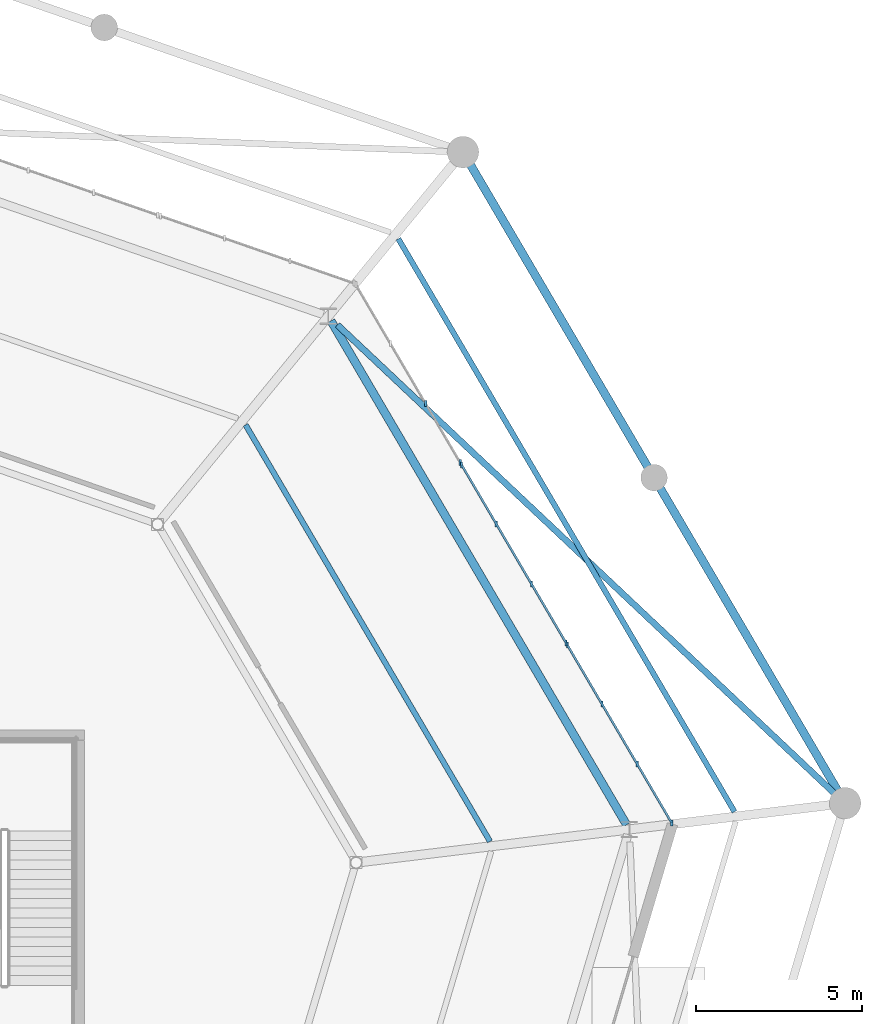
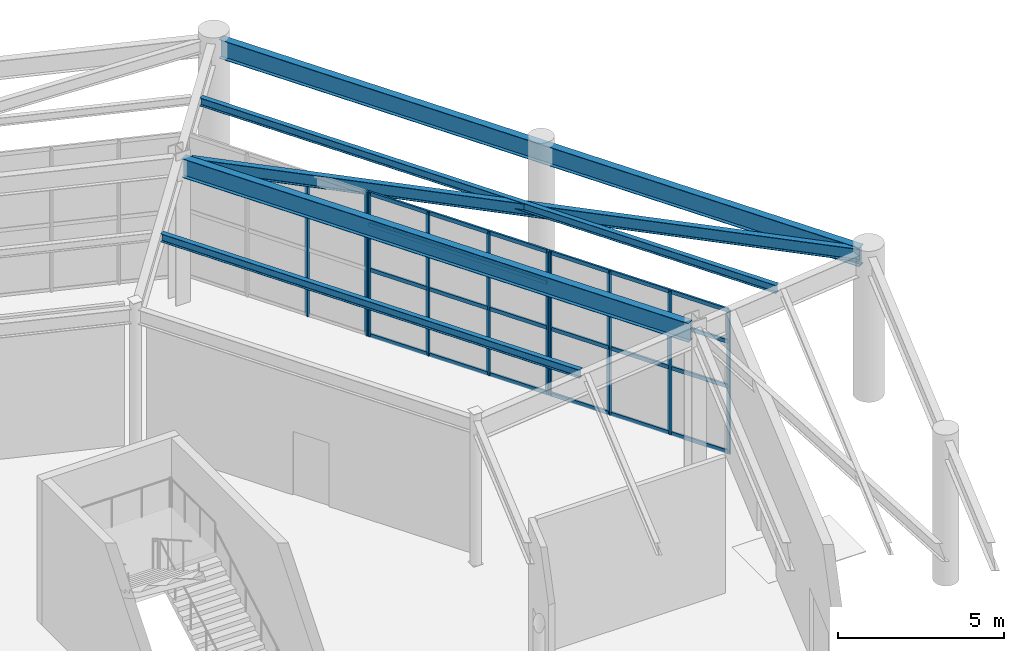
# One storey, part 34 of 70: 18 members, 5 beams, 3 elements without a shape of their own.
"""IFC4 building model written with IfcOpenShell, lengths in metres."""

import ifcopenshell
import ifcopenshell.guid

model = None  # the IFC model being written
_history = None  # IfcOwnerHistory: only IFC2X3 demands one
_inside = {}  # id of a spatial element -> (the spatial element, [elements in it])
_under = {}  # id of a project, library or spatial element -> (it, [spatial elements below it])
_declared = {}  # id of a project -> (the project, [libraries it declares])
_typed = {}  # id of a type object -> (the type object, [elements of that type])
_made_of = {}  # id of a material, layer set ... -> (it, [elements and type objects made of it])


def new_model(schema):
    """Start an empty IFC model of exactly this schema.

    Asked for "IFC4X3", IfcOpenShell would pick the latest addendum, in which some entities
    have other attributes; the version numbers below select the first issue.
    IFC2X3 requires an IfcOwnerHistory on every rooted entity: one is made here for all.
    """
    global model, _history
    if schema == "IFC4X3":
        model = ifcopenshell.file(schema_version=(4, 3, 0, 0))
    else:
        model = ifcopenshell.file(schema=schema)
    _inside.clear()
    _under.clear()
    _declared.clear()
    _typed.clear()
    _made_of.clear()
    _history = None
    if model.schema == "IFC2X3":
        org = make("IfcOrganization", Name="unknown")
        user = make(
            "IfcPersonAndOrganization",
            ThePerson=make("IfcPerson", FamilyName="unknown"),
            TheOrganization=org,
        )
        app = make(
            "IfcApplication",
            ApplicationDeveloper=org,
            Version="unknown",
            ApplicationFullName="unknown",
            ApplicationIdentifier="unknown",
        )
        _history = make(
            "IfcOwnerHistory",
            OwningUser=user,
            OwningApplication=app,
            ChangeAction="ADDED",
            CreationDate=0,
        )
    return model


def make(cls, **values):
    """One entity of the class cls with the attributes given. An attribute that is None is left unset."""
    return model.create_entity(
        cls, **{name: value for name, value in values.items() if value is not None}
    )


def rooted(cls, **values):
    """An entity with a GlobalId (a new one), such as an element, a storey or a relation."""
    return make(cls, GlobalId=ifcopenshell.guid.new(), OwnerHistory=_history, **values)


def si_unit(unit_type, name, prefix=None):
    """IfcSIUnit, for example si_unit("LENGTHUNIT", "METRE", prefix="MILLI")."""
    return make("IfcSIUnit", UnitType=unit_type, Prefix=prefix, Name=name)


def assignment(units):
    """IfcUnitAssignment: the units of a project."""
    return None if units is None else make("IfcUnitAssignment", Units=units)


def point(xyz):
    """IfcCartesianPoint."""
    return None if xyz is None else make("IfcCartesianPoint", Coordinates=xyz)


def direction(xyz):
    """IfcDirection."""
    return None if xyz is None else make("IfcDirection", DirectionRatios=xyz)


def frame(location, z_axis=None, x_axis=None):
    """IfcAxis2Placement3D, a coordinate frame: its origin and axes. An axis left out is left unset."""
    return make(
        "IfcAxis2Placement3D",
        Location=point(location),
        Axis=direction(z_axis),
        RefDirection=direction(x_axis),
    )


def frame_2d(location, x_axis=None):
    """IfcAxis2Placement2D, a coordinate frame in the plane: its origin and x axis."""
    return make(
        "IfcAxis2Placement2D", Location=point(location), RefDirection=direction(x_axis)
    )


def origin():
    """The frame at (0, 0, 0) with its axes left unset."""
    return frame((0.0, 0.0, 0.0))


def origin_2d():
    """The frame at (0, 0) in the plane with its x axis left unset."""
    return frame_2d((0.0, 0.0))


def place(relative_to, where):
    """IfcLocalPlacement: puts the frame where relative to a parent placement (None: the world)."""
    return make(
        "IfcLocalPlacement", PlacementRelTo=relative_to, RelativePlacement=where
    )


def context(
    kind, dimensions, precision=None, world=None, true_north=None, identifier=None
):
    """IfcGeometricRepresentationContext, for example the 3D "Model" context."""
    return make(
        "IfcGeometricRepresentationContext",
        ContextIdentifier=identifier,
        ContextType=kind,
        CoordinateSpaceDimension=dimensions,
        Precision=precision,
        WorldCoordinateSystem=world,
        TrueNorth=true_north,
    )


def subcontext(parent, identifier, kind, view, scale=None):
    """IfcGeometricRepresentationSubContext, for example "Body" below "Model"."""
    return make(
        "IfcGeometricRepresentationSubContext",
        ContextIdentifier=identifier,
        ContextType=kind,
        ParentContext=parent,
        TargetScale=scale,
        TargetView=view,
    )


def project(units=None, contexts=None):
    """IfcProject with its units and contexts."""
    return rooted(
        "IfcProject",
        Name="project",
        RepresentationContexts=contexts,
        UnitsInContext=assignment(units),
    )


def spatial(cls, under=None, at=None, **own):
    """A site, building, storey or space (cls), placed at a placement, below another one or the project."""
    s = rooted(cls, ObjectPlacement=at, **own)
    if under is not None:
        _under.setdefault(under.id(), (under, []))[1].append(s)
    return s


def profile(cls, at=None, kind="AREA", **sizes):
    """A parametric profile (cls). Its sizes go by their IFC names, for example OverallWidth=200.0."""
    return make(cls, ProfileType=kind, Position=at, **sizes)


def rectangle(**sizes):
    """IfcRectangleProfileDef."""
    return profile("IfcRectangleProfileDef", **sizes)


def i_section(**sizes):
    """IfcIShapeProfileDef."""
    return profile("IfcIShapeProfileDef", **sizes)


def extrude(swept, where, along, depth):
    """IfcExtrudedAreaSolid: the profile swept, set in the frame where, extruded along a direction by depth."""
    return make(
        "IfcExtrudedAreaSolid",
        SweptArea=swept,
        Position=where,
        ExtrudedDirection=direction(along),
        Depth=depth,
    )


def shape(context_of_items, identifier, shape_type, items):
    """IfcShapeRepresentation: the items that make up one representation, for example the "Body"."""
    return make(
        "IfcShapeRepresentation",
        ContextOfItems=context_of_items,
        RepresentationIdentifier=identifier,
        RepresentationType=shape_type,
        Items=items,
    )


def material(Name=None, Category=None):
    """IfcMaterial."""
    return make("IfcMaterial", Name=Name, Category=Category)


def material_profile(
    of_material, cross_section, Name=None, Category=None, Priority=None
):
    """IfcMaterialProfile: a cross section and its material."""
    return make(
        "IfcMaterialProfile",
        Name=Name,
        Material=of_material,
        Profile=cross_section,
        Priority=Priority,
        Category=Category,
    )


def profile_set(profiles, Name=None, composite=None):
    """IfcMaterialProfileSet."""
    return make(
        "IfcMaterialProfileSet",
        Name=Name,
        MaterialProfiles=profiles,
        CompositeProfile=composite,
    )


def made_of(thing, what):
    """Note that an element or type object is made of a material, layer set ...; save() writes the relation."""
    if what is not None:
        _made_of.setdefault(what.id(), (what, []))[1].append(thing)
    return thing


def type_object(cls, material=None, **own):
    """A type object (cls), such as IfcWallType, which elements share."""
    return made_of(rooted(cls, **own), material)


def element(
    cls,
    number,
    at=None,
    inside=None,
    cuts=None,
    type_object=None,
    material=None,
    context=None,
    identifier="Body",
    shape_type=None,
    held_by="IfcProductDefinitionShape",
    body=None,
    shapes=None,
    **own,
):
    """One element of the class cls, such as IfcWall. Its Tag is "e" and its number.

    at: its placement. inside: the storey or other place that contains it. cuts: it is an
    opening in that element (IfcRelVoidsElement). A single representation is given by context,
    identifier, shape_type and body (its items); several are given by shapes. held_by: the class
    of the entity that holds the representations. save() writes the other relations.
    """
    e = rooted(cls, Tag="e%d" % number, ObjectPlacement=at, **own)
    if body is not None:
        shapes = [shape(context, identifier, shape_type, body)]
    if shapes is not None:
        e.Representation = make(held_by, Representations=shapes)
    if inside is not None:
        _inside.setdefault(inside.id(), (inside, []))[1].append(e)
    if cuts is not None:
        rooted(
            "IfcRelVoidsElement", RelatingBuildingElement=cuts, RelatedOpeningElement=e
        )
    if type_object is not None:
        _typed.setdefault(type_object.id(), (type_object, []))[1].append(e)
    return made_of(e, material)


def aggregate(whole, parts):
    """IfcRelAggregates: a whole, such as a stair, and the parts it consists of."""
    return rooted("IfcRelAggregates", RelatingObject=whole, RelatedObjects=parts)


def save(model, path):
    """Write the relations noted so far, then the file.

    IfcRelAggregates (storeys below a building ...), IfcRelContainedInSpatialStructure (elements
    in a storey), IfcRelDefinesByType, IfcRelAssociatesMaterial and IfcRelDeclares: one each for
    every whole, place, type object, material and project.
    """
    for whole, parts in _under.values():
        aggregate(whole, parts)
    for where, things in _inside.values():
        rooted(
            "IfcRelContainedInSpatialStructure",
            RelatedElements=things,
            RelatingStructure=where,
        )
    for kind, things in _typed.values():
        rooted("IfcRelDefinesByType", RelatedObjects=things, RelatingType=kind)
    for what, things in _made_of.values():
        rooted("IfcRelAssociatesMaterial", RelatedObjects=things, RelatingMaterial=what)
    for by, libraries in _declared.values():
        rooted("IfcRelDeclares", RelatingContext=by, RelatedDefinitions=libraries)
    model.write(path)


model = new_model("IFC4")

# Units and contexts
model_context = context("Model", 3, precision=1e-05, world=origin(), true_north=direction((0.0, 1.0)))
body_context = subcontext(model_context, "Body", "Model", "MODEL_VIEW")
ifc_project = project(units=[si_unit("LENGTHUNIT", "METRE"), si_unit("AREAUNIT", "SQUARE_METRE"), si_unit("VOLUMEUNIT", "CUBIC_METRE"), si_unit("PLANEANGLEUNIT", "RADIAN"), si_unit("MASSUNIT", "GRAM", prefix="KILO")], contexts=[model_context])

# Site, building, storey
site_placement = place(None, origin())
site = spatial("IfcSite", under=ifc_project, at=site_placement, CompositionType="ELEMENT")
building_placement = place(site_placement, origin())
building = spatial("IfcBuilding", under=site, at=building_placement, Name="Sarnbrook Museum", CompositionType="ELEMENT")
storey_placement = place(building_placement, origin())
storey = spatial("IfcBuildingStorey", under=building, at=storey_placement, Name="L00", CompositionType="ELEMENT", Elevation=0.0)

# Beams
ifc_material_1 = material(Name="Structural Steel Grade 300PLUS (AS/NZS 3679.1, fy = 280 MPa for 17 < t <= 40 mm, 300 MPa for t <= 17 mm)", Category="steel")
ifc_material_profile_1 = material_profile(ifc_material_1, i_section(OverallWidth=0.18994140625, OverallDepth=0.45703125, WebThickness=0.009033203125, FlangeThickness=0.014404296875, FilletRadius=0.011474609375, at=origin_2d()), Name="460UB74.6")
ifc_profile_set_1 = profile_set([ifc_material_profile_1], Name="Structural Steel Grade 300PLUS (AS/NZS 3679.1, fy = 280 MPa for 17 < t <= 40 mm, 300 MPa for t <= 17 mm)")
beam_type_1 = type_object("IfcBeamType", Name="BM-UB460", PredefinedType="BEAM", material=ifc_profile_set_1)
beam_1_placement = place(storey_placement, frame((168.890380859375, 88.19140625, 5.10009765625), z_axis=(-0.727682033178, 0.685914614649, 0.0), x_axis=(-0.685914614649, -0.727682033178, 0.0)))
element("IfcBeam", 1, at=beam_1_placement, inside=storey, type_object=beam_type_1, Name="Colonnade Ceiling Diagonal Tie Girder 4 L00", PredefinedType="BEAM", context=body_context, shape_type="SweptSolid", body=[
    extrude(i_section(OverallWidth=0.18994140625, OverallDepth=0.45703125, WebThickness=0.009033203125, FlangeThickness=0.014404296875, FilletRadius=0.011474609375, at=origin_2d()), origin(), (0.0, 0.0, 1.0), 20.709716796875),
])
ifc_material_2 = material(Name="Structural Steel Grade 350L0 (AS/NZS 3678, fy = 340 MPa for 20 < t <= 40 mm)", Category="steel")
ifc_material_profile_2 = material_profile(ifc_material_2, i_section(OverallWidth=0.25, OverallDepth=0.699951171875, WebThickness=0.010009765625, FlangeThickness=0.01611328125, at=origin_2d()), Name="700WB130")
ifc_profile_set_2 = profile_set([ifc_material_profile_2], Name="Structural Steel Grade 350L0 (AS/NZS 3678, fy = 340 MPa for 20 < t <= 40 mm)")
beam_type_2 = type_object("IfcBeamType", Name="BM-WB700", PredefinedType="BEAM", material=ifc_profile_set_2)
beam_2_placement = place(storey_placement, frame((168.973388671875, 88.215576171875, 4.989990234375), z_axis=(-0.506049588583, 0.862504384856, 0.0), x_axis=(-0.862504384856, -0.506049588583, 0.0)))
element("IfcBeam", 2, at=beam_2_placement, inside=storey, type_object=beam_type_2, Name="Crystal Hall Perimeter Ring Girder 4 L00", PredefinedType="BEAM", context=body_context, shape_type="SweptSolid", body=[
    extrude(i_section(OverallWidth=0.25, OverallDepth=0.699951171875, WebThickness=0.010009765625, FlangeThickness=0.01611328125, at=origin_2d()), origin(), (0.0, 0.0, 1.0), 22.224853515625),
])
beam_3_placement = place(storey_placement, frame((162.52587890625, 87.348388671875, 4.989990234375), z_axis=(-0.506057154474, 0.862499945743, 0.0), x_axis=(-0.862499945743, -0.506057154474, 0.0)))
element("IfcBeam", 3, at=beam_3_placement, inside=storey, type_object=beam_type_2, Name="Crystal Hall R1 Ring Girder 4 L00", PredefinedType="BEAM", context=body_context, shape_type="SweptSolid", body=[
    extrude(i_section(OverallWidth=0.25, OverallDepth=0.699951171875, WebThickness=0.010009765625, FlangeThickness=0.01611328125, at=origin_2d()), origin(), (0.0, 0.0, 1.0), 17.589111328125),
])

# Curtain wall, members
ifc_material_3 = material(Name="Thermally Broken Anodised Aluminium 6063-T6", Category="aluminium")
curtain_wall_type = type_object("IfcCurtainWallType", Name="CurtainWall_Colonnade", PredefinedType="NOTDEFINED", material=ifc_material_3)
curtain_wall_1_placement = place(storey_placement, origin())
curtain_wall_1 = element("IfcCurtainWall", 4, at=curtain_wall_1_placement, inside=storey, type_object=curtain_wall_type, Name="Colonnade Recessed Glazing L00-F4.1", PredefinedType="NOTDEFINED")
ifc_material_profile_3 = material_profile(ifc_material_3, rectangle(XDim=0.06494140625, YDim=0.179931640625, at=origin_2d()), Name="ALU MULLION 65x180")
ifc_profile_set_3 = profile_set([ifc_material_profile_3], Name="Thermally Broken Anodised Aluminium 6063-T6")
member_type_1 = type_object("IfcMemberType", Name="CW_Mullion_180x75", PredefinedType="MULLION", material=ifc_profile_set_3)
member_1_placement = place(storey_placement, frame((163.88525390625, 87.40283203125, 0.0), z_axis=(0.0, 0.0, 1.0), x_axis=(1.0, 0.0, 0.0)))
member_1 = element("IfcMember", 5, at=member_1_placement, type_object=member_type_1, Name="Colonnade Recessed Glazing L00-F4.1 Mullion 1", PredefinedType="MULLION", context=body_context, shape_type="SweptSolid", body=[
    extrude(rectangle(XDim=0.06494140625, YDim=0.179931640625, at=origin_2d()), origin(), (0.0, 0.0, 1.0), 5.2900390625),
])
member_2_placement = place(storey_placement, frame((162.84423828125, 89.177001953125, 0.0), z_axis=(0.0, 0.0, 1.0), x_axis=(1.0, 0.0, 0.0)))
member_2 = element("IfcMember", 6, at=member_2_placement, type_object=member_type_1, Name="Colonnade Recessed Glazing L00-F4.1 Mullion 2", PredefinedType="MULLION", context=body_context, shape_type="SweptSolid", body=[
    extrude(rectangle(XDim=0.06494140625, YDim=0.179931640625, at=origin_2d()), origin(), (0.0, 0.0, 1.0), 5.2900390625),
])
member_3_placement = place(storey_placement, frame((161.783203125, 90.985595703125, 0.0), z_axis=(0.0, 0.0, 1.0), x_axis=(1.0, 0.0, 0.0)))
member_3 = element("IfcMember", 7, at=member_3_placement, type_object=member_type_1, Name="Colonnade Recessed Glazing L00-F4.1 Mullion 3", PredefinedType="MULLION", context=body_context, shape_type="SweptSolid", body=[
    extrude(rectangle(XDim=0.06494140625, YDim=0.179931640625, at=origin_2d()), origin(), (0.0, 0.0, 1.0), 5.2900390625),
])
member_4_placement = place(storey_placement, frame((160.7421875, 92.759521484375, 0.0), z_axis=(0.0, 0.0, 1.0), x_axis=(1.0, 0.0, 0.0)))
member_4 = element("IfcMember", 8, at=member_4_placement, type_object=member_type_1, Name="Colonnade Recessed Glazing L00-F4.1 Mullion 4", PredefinedType="MULLION", context=body_context, shape_type="SweptSolid", body=[
    extrude(rectangle(XDim=0.06494140625, YDim=0.179931640625, at=origin_2d()), origin(), (0.0, 0.0, 1.0), 5.2900390625),
])

curtain_wall_2_placement = place(storey_placement, origin())
curtain_wall_2 = element("IfcCurtainWall", 9, at=curtain_wall_2_placement, inside=storey, type_object=curtain_wall_type, Name="Colonnade Recessed Glazing L00-F4.2", PredefinedType="NOTDEFINED")
member_5_placement = place(storey_placement, frame((160.70166015625, 92.82861328125, 0.0), z_axis=(0.0, 0.0, 1.0), x_axis=(1.0, 0.0, 0.0)))
member_5 = element("IfcMember", 10, at=member_5_placement, type_object=member_type_1, Name="Colonnade Recessed Glazing L00-F4.2 Mullion 1", PredefinedType="MULLION", context=body_context, shape_type="SweptSolid", body=[
    extrude(rectangle(XDim=0.06494140625, YDim=0.179931640625, at=origin_2d()), origin(), (0.0, 0.0, 1.0), 5.2900390625),
])
member_6_placement = place(storey_placement, frame((159.66064453125, 94.602783203125, 0.0), z_axis=(0.0, 0.0, 1.0), x_axis=(1.0, 0.0, 0.0)))
member_6 = element("IfcMember", 11, at=member_6_placement, type_object=member_type_1, Name="Colonnade Recessed Glazing L00-F4.2 Mullion 2", PredefinedType="MULLION", context=body_context, shape_type="SweptSolid", body=[
    extrude(rectangle(XDim=0.06494140625, YDim=0.179931640625, at=origin_2d()), origin(), (0.0, 0.0, 1.0), 5.2900390625),
])
member_7_placement = place(storey_placement, frame((158.599609375, 96.4111328125, 0.0), z_axis=(0.0, 0.0, 1.0), x_axis=(1.0, 0.0, 0.0)))
member_7 = element("IfcMember", 12, at=member_7_placement, type_object=member_type_1, Name="Colonnade Recessed Glazing L00-F4.2 Mullion 3", PredefinedType="MULLION", context=body_context, shape_type="SweptSolid", body=[
    extrude(rectangle(XDim=0.06494140625, YDim=0.179931640625, at=origin_2d()), origin(), (0.0, 0.0, 1.0), 5.2900390625),
])
member_8_placement = place(storey_placement, frame((157.55859375, 98.185302734375, 0.0), z_axis=(0.0, 0.0, 1.0), x_axis=(1.0, 0.0, 0.0)))
member_8 = element("IfcMember", 13, at=member_8_placement, type_object=member_type_1, Name="Colonnade Recessed Glazing L00-F4.2 Mullion 4", PredefinedType="MULLION", context=body_context, shape_type="SweptSolid", body=[
    extrude(rectangle(XDim=0.06494140625, YDim=0.179931640625, at=origin_2d()), origin(), (0.0, 0.0, 1.0), 5.2900390625),
])

curtain_wall_3_placement = place(storey_placement, origin())
curtain_wall_3 = element("IfcCurtainWall", 14, at=curtain_wall_3_placement, inside=storey, type_object=curtain_wall_type, Name="Colonnade Recessed Glazing L00-F4.3", PredefinedType="NOTDEFINED")
member_9_placement = place(storey_placement, frame((157.518310546875, 98.25439453125, 0.0), z_axis=(0.0, 0.0, 1.0), x_axis=(1.0, 0.0, 0.0)))
member_9 = element("IfcMember", 15, at=member_9_placement, type_object=member_type_1, Name="Colonnade Recessed Glazing L00-F4.3 Mullion 1", PredefinedType="MULLION", context=body_context, shape_type="SweptSolid", body=[
    extrude(rectangle(XDim=0.06494140625, YDim=0.179931640625, at=origin_2d()), origin(), (0.0, 0.0, 1.0), 5.2900390625),
])
member_10_placement = place(storey_placement, frame((156.477294921875, 100.0283203125, 0.0), z_axis=(0.0, 0.0, 1.0), x_axis=(1.0, 0.0, 0.0)))
member_10 = element("IfcMember", 16, at=member_10_placement, type_object=member_type_1, Name="Colonnade Recessed Glazing L00-F4.3 Mullion 2", PredefinedType="MULLION", context=body_context, shape_type="SweptSolid", body=[
    extrude(rectangle(XDim=0.06494140625, YDim=0.179931640625, at=origin_2d()), origin(), (0.0, 0.0, 1.0), 5.2900390625),
])
aggregate(curtain_wall_3, [member_9, member_10])

# Member
ifc_material_profile_4 = material_profile(ifc_material_3, rectangle(XDim=0.06494140625, YDim=0.139892578125, at=origin_2d()), Name="ALU TRANSOM 65x140")
ifc_profile_set_4 = profile_set([ifc_material_profile_4], Name="Thermally Broken Anodised Aluminium 6063-T6")
member_type_2 = type_object("IfcMemberType", Name="CW_Transom_150x65", PredefinedType="USERDEFINED", material=ifc_profile_set_4)
member_11_placement = place(storey_placement, frame((163.880126953125, 87.411376953125, 0.0400390625), z_axis=(-0.506044340735, 0.862507463857, 0.0), x_axis=(-0.862507463857, -0.506044340735, 0.0)))
member_11 = element("IfcMember", 17, at=member_11_placement, type_object=member_type_2, Name="Colonnade Recessed Glazing L00-F4.1 Transom 1", ObjectType="TRANSOM", PredefinedType="USERDEFINED", context=body_context, shape_type="SweptSolid", body=[
    extrude(rectangle(XDim=0.06494140625, YDim=0.139892578125, at=origin_2d()), origin(), (0.0, 0.0, 1.0), 6.190673828125),
])

member_12_placement = place(storey_placement, frame((163.880126953125, 87.411376953125, 2.449951171875), z_axis=(-0.506044340735, 0.862507463857, 0.0), x_axis=(-0.862507463857, -0.506044340735, 0.0)))
member_12 = element("IfcMember", 18, at=member_12_placement, type_object=member_type_2, Name="Colonnade Recessed Glazing L00-F4.1 Transom 2", ObjectType="TRANSOM", PredefinedType="USERDEFINED", context=body_context, shape_type="SweptSolid", body=[
    extrude(rectangle(XDim=0.06494140625, YDim=0.139892578125, at=origin_2d()), origin(), (0.0, 0.0, 1.0), 6.190673828125),
])

member_13_placement = place(storey_placement, frame((163.880126953125, 87.411376953125, 4.10009765625), z_axis=(-0.506044340735, 0.862507463857, 0.0), x_axis=(-0.862507463857, -0.506044340735, 0.0)))
member_13 = element("IfcMember", 19, at=member_13_placement, type_object=member_type_2, Name="Colonnade Recessed Glazing L00-F4.1 Transom 3", ObjectType="TRANSOM", PredefinedType="USERDEFINED", context=body_context, shape_type="SweptSolid", body=[
    extrude(rectangle(XDim=0.06494140625, YDim=0.139892578125, at=origin_2d()), origin(), (0.0, 0.0, 1.0), 6.190673828125),
])

member_14_placement = place(storey_placement, frame((163.880126953125, 87.411376953125, 5.25), z_axis=(-0.506044340735, 0.862507463857, 0.0), x_axis=(-0.862507463857, -0.506044340735, 0.0)))
member_14 = element("IfcMember", 20, at=member_14_placement, type_object=member_type_2, Name="Colonnade Recessed Glazing L00-F4.1 Transom 4", ObjectType="TRANSOM", PredefinedType="USERDEFINED", context=body_context, shape_type="SweptSolid", body=[
    extrude(rectangle(XDim=0.06494140625, YDim=0.139892578125, at=origin_2d()), origin(), (0.0, 0.0, 1.0), 6.190673828125),
])

aggregate(curtain_wall_1, [member_1, member_2, member_3, member_4, member_11, member_12, member_13, member_14])

member_15_placement = place(storey_placement, frame((160.696533203125, 92.837158203125, 0.0400390625), z_axis=(-0.506044340735, 0.862507463857, 0.0), x_axis=(-0.862507463857, -0.506044340735, 0.0)))
member_15 = element("IfcMember", 21, at=member_15_placement, type_object=member_type_2, Name="Colonnade Recessed Glazing L00-F4.2 Transom 1", ObjectType="TRANSOM", PredefinedType="USERDEFINED", context=body_context, shape_type="SweptSolid", body=[
    extrude(rectangle(XDim=0.06494140625, YDim=0.139892578125, at=origin_2d()), origin(), (0.0, 0.0, 1.0), 6.190673828125),
])

member_16_placement = place(storey_placement, frame((160.696533203125, 92.837158203125, 2.449951171875), z_axis=(-0.506044340735, 0.862507463857, 0.0), x_axis=(-0.862507463857, -0.506044340735, 0.0)))
member_16 = element("IfcMember", 22, at=member_16_placement, type_object=member_type_2, Name="Colonnade Recessed Glazing L00-F4.2 Transom 2", ObjectType="TRANSOM", PredefinedType="USERDEFINED", context=body_context, shape_type="SweptSolid", body=[
    extrude(rectangle(XDim=0.06494140625, YDim=0.139892578125, at=origin_2d()), origin(), (0.0, 0.0, 1.0), 6.190673828125),
])

member_17_placement = place(storey_placement, frame((160.696533203125, 92.837158203125, 4.10009765625), z_axis=(-0.506044340735, 0.862507463857, 0.0), x_axis=(-0.862507463857, -0.506044340735, 0.0)))
member_17 = element("IfcMember", 23, at=member_17_placement, type_object=member_type_2, Name="Colonnade Recessed Glazing L00-F4.2 Transom 3", ObjectType="TRANSOM", PredefinedType="USERDEFINED", context=body_context, shape_type="SweptSolid", body=[
    extrude(rectangle(XDim=0.06494140625, YDim=0.139892578125, at=origin_2d()), origin(), (0.0, 0.0, 1.0), 6.190673828125),
])

member_18_placement = place(storey_placement, frame((160.696533203125, 92.837158203125, 5.25), z_axis=(-0.506044340735, 0.862507463857, 0.0), x_axis=(-0.862507463857, -0.506044340735, 0.0)))
member_18 = element("IfcMember", 24, at=member_18_placement, type_object=member_type_2, Name="Colonnade Recessed Glazing L00-F4.2 Transom 4", ObjectType="TRANSOM", PredefinedType="USERDEFINED", context=body_context, shape_type="SweptSolid", body=[
    extrude(rectangle(XDim=0.06494140625, YDim=0.139892578125, at=origin_2d()), origin(), (0.0, 0.0, 1.0), 6.190673828125),
])

aggregate(curtain_wall_2, [member_5, member_6, member_7, member_8, member_15, member_16, member_17, member_18])

# Beams
ifc_material_profile_5 = material_profile(ifc_material_1, i_section(OverallWidth=0.1650390625, OverallDepth=0.303955078125, WebThickness=0.006103515625, FlangeThickness=0.01025390625, FilletRadius=0.011474609375, at=origin_2d()), Name="310UB40.4")
ifc_profile_set_5 = profile_set([ifc_material_profile_5], Name="Structural Steel Grade 300PLUS (AS/NZS 3679.1, fy = 280 MPa for 17 < t <= 40 mm, 300 MPa for t <= 17 mm)")
beam_type_3 = type_object("IfcBeamType", Name="JS-UB310", PredefinedType="JOIST", material=ifc_profile_set_5)
beam_4_placement = place(storey_placement, frame((165.7724609375, 87.7431640625, 5.18798828125), z_axis=(-0.506059419233, 0.86249861693, 0.0), x_axis=(-0.86249861693, -0.506059419233, 0.0)))
element("IfcBeam", 25, at=beam_4_placement, inside=storey, type_object=beam_type_3, Name="Crystal Hall Tangential Joist MO-4 L00", PredefinedType="JOIST", context=body_context, shape_type="SweptSolid", body=[
    extrude(i_section(OverallWidth=0.1650390625, OverallDepth=0.303955078125, WebThickness=0.006103515625, FlangeThickness=0.01025390625, FilletRadius=0.011474609375, at=origin_2d()), origin(), (0.0, 0.0, 1.0), 19.996826171875),
])
beam_5_placement = place(storey_placement, frame((158.413330078125, 86.848388671875, 5.18798828125), z_axis=(-0.50605775092, 0.862499595788, 0.0), x_axis=(-0.862499595788, -0.50605775092, 0.0)))
element("IfcBeam", 26, at=beam_5_placement, inside=storey, type_object=beam_type_3, Name="Crystal Hall Tangential Joist MI-4 L00", PredefinedType="JOIST", context=body_context, shape_type="SweptSolid", body=[
    extrude(i_section(OverallWidth=0.1650390625, OverallDepth=0.303955078125, WebThickness=0.006103515625, FlangeThickness=0.01025390625, FilletRadius=0.011474609375, at=origin_2d()), origin(), (0.0, 0.0, 1.0), 14.5390625),
])

save(model, "model.ifc")
